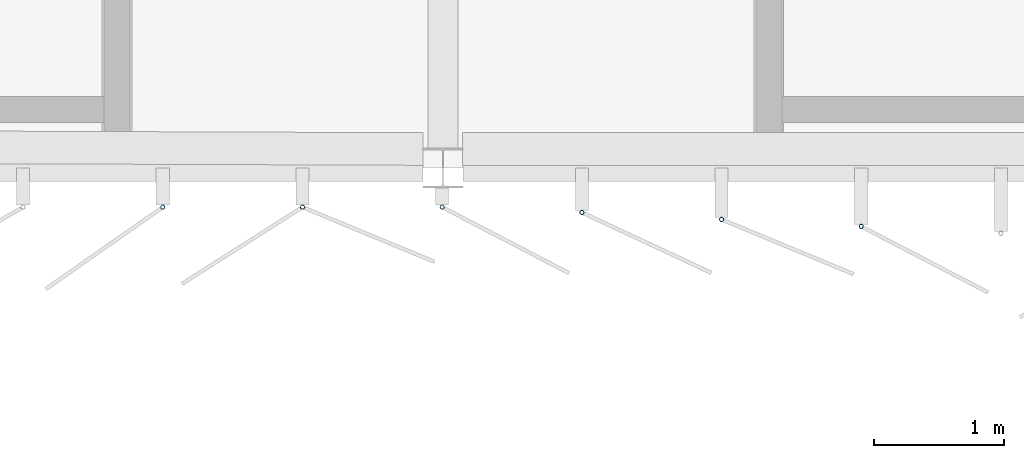
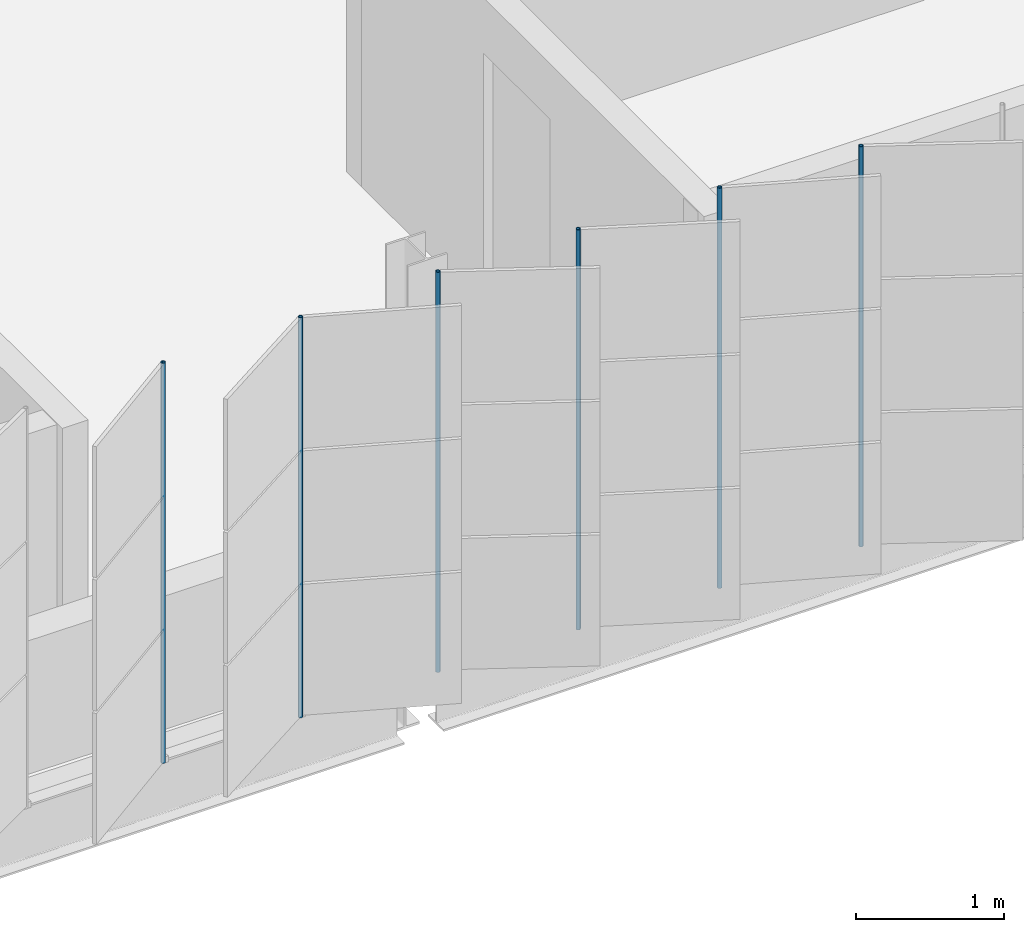
# One storey, part 110 of 199: 6 discrete accessories.
"""IFC4 building model written with IfcOpenShell, lengths in metres."""

from ifc_helpers import new_model, si_unit, direction, frame, origin, origin_2d, place, context, subcontext, project, spatial, hollow_circle, extrude, material, material_profile, profile_set, type_object, element, save


model = new_model("IFC4")

# Units and contexts
model_context = context("Model", 3, precision=1e-05, world=origin(), true_north=direction((0.0, 1.0)))
body_context = subcontext(model_context, "Body", "Model", "MODEL_VIEW")
ifc_project = project(units=[si_unit("LENGTHUNIT", "METRE"), si_unit("AREAUNIT", "SQUARE_METRE"), si_unit("VOLUMEUNIT", "CUBIC_METRE"), si_unit("PLANEANGLEUNIT", "RADIAN"), si_unit("MASSUNIT", "GRAM", prefix="KILO")], contexts=[model_context])

# Site, building, storey
site_placement = place(None, origin())
site = spatial("IfcSite", under=ifc_project, at=site_placement, CompositionType="ELEMENT")
building_placement = place(site_placement, origin())
building = spatial("IfcBuilding", under=site, at=building_placement, Name="Parallax Yard Mobility Hub", CompositionType="ELEMENT")
storey_placement = place(building_placement, frame((0.0, 0.0, 9.89990234375)))
storey = spatial("IfcBuildingStorey", under=building, at=storey_placement, Name="L03", CompositionType="ELEMENT", Elevation=9.89990234375)

# Discrete accessories
ifc_material = material(Name="Steel ASTM A500 Gr C, hot-dip galvanised", Category="steel")
ifc_material_profile = material_profile(ifc_material, hollow_circle(Radius=0.016845703125, WallThickness=0.003173828125, at=origin_2d()), Name="CHS 33.7x3.2")
ifc_profile_set = profile_set([ifc_material_profile], Name="Steel ASTM A500 Gr C, hot-dip galvanised")
discrete_accessory_type = type_object("IfcDiscreteAccessoryType", Name="Hinge post CHS 33.7x3.2", PredefinedType="BRACKET", material=ifc_profile_set)
for number, where, z_axis, x_axis, name in (
    (1, (155.35107421875, 112.199951171875, 0.0), (0.0, 0.0, 1.0), (1.0, 0.0, 0.0), "Hinge post bay 15.6 level L03"),
    (2, (156.422607421875, 112.199951171875, 0.0), (0.0, 0.0, 1.0), (1.0, 0.0, 0.0), "Hinge post bay 15.7 level L03"),
    (3, (157.494140625, 112.199951171875, 0.0), (0.0, 0.0, 1.0), (1.0, 0.0, 0.0), "Hinge post bay 16.1 level L03"),
    (4, (158.565673828125, 112.158935546875, 0.0), (0.0, 0.0, 1.0), (1.0, 0.0, 0.0), "Hinge post bay 16.2 level L03"),
    (5, (159.63720703125, 112.10546875, 0.0), (0.0, 0.0, 1.0), (1.0, 0.0, 0.0), "Hinge post bay 16.3 level L03"),
    (6, (160.70849609375, 112.0517578125, 0.0), (0.0, 0.0, 1.0), (1.0, 0.0, 0.0), "Hinge post bay 16.4 level L03"),
):
    element("IfcDiscreteAccessory", number, at=place(storey_placement, frame(where, z_axis=z_axis, x_axis=x_axis)), inside=storey, type_object=discrete_accessory_type, Name=name, PredefinedType="BRACKET", context=body_context, shape_type="SweptSolid", body=[
        extrude(hollow_circle(Radius=0.016845703125, WallThickness=0.003173828125, at=origin_2d()), origin(), (0.0, 0.0, 1.0), 3.300048828125),
    ])

save(model, "model.ifc")
